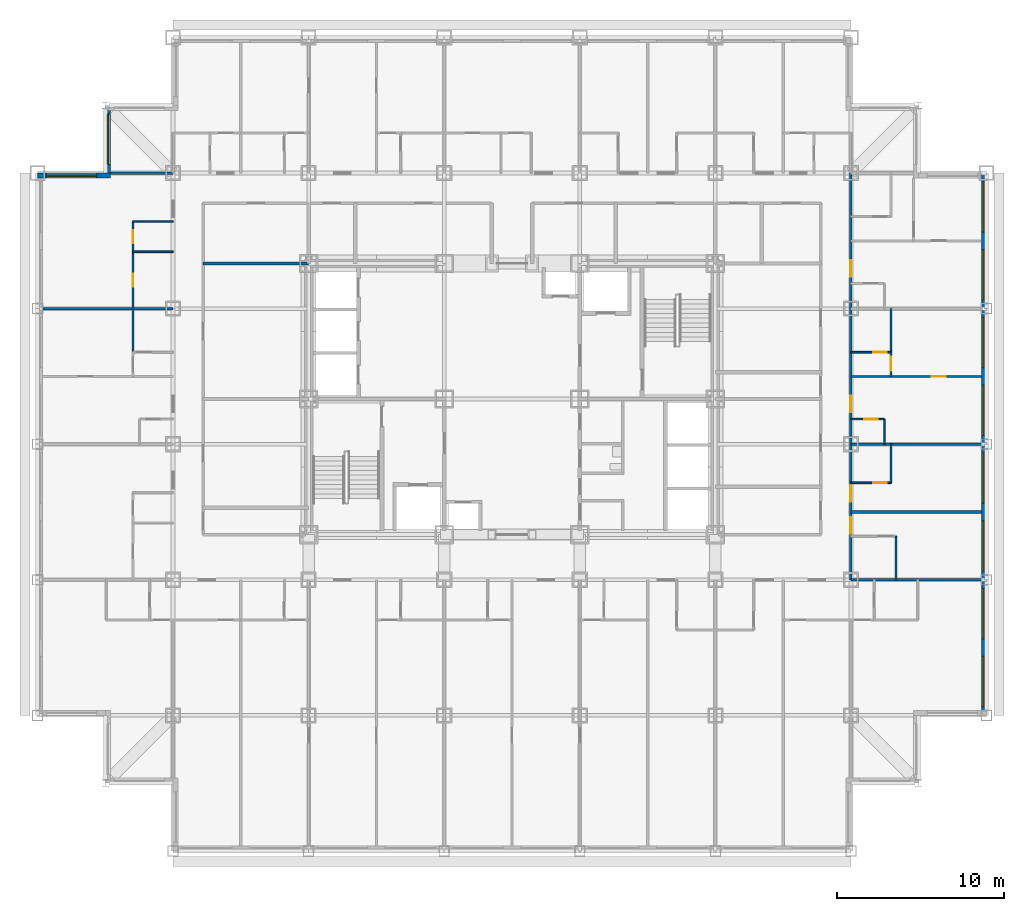
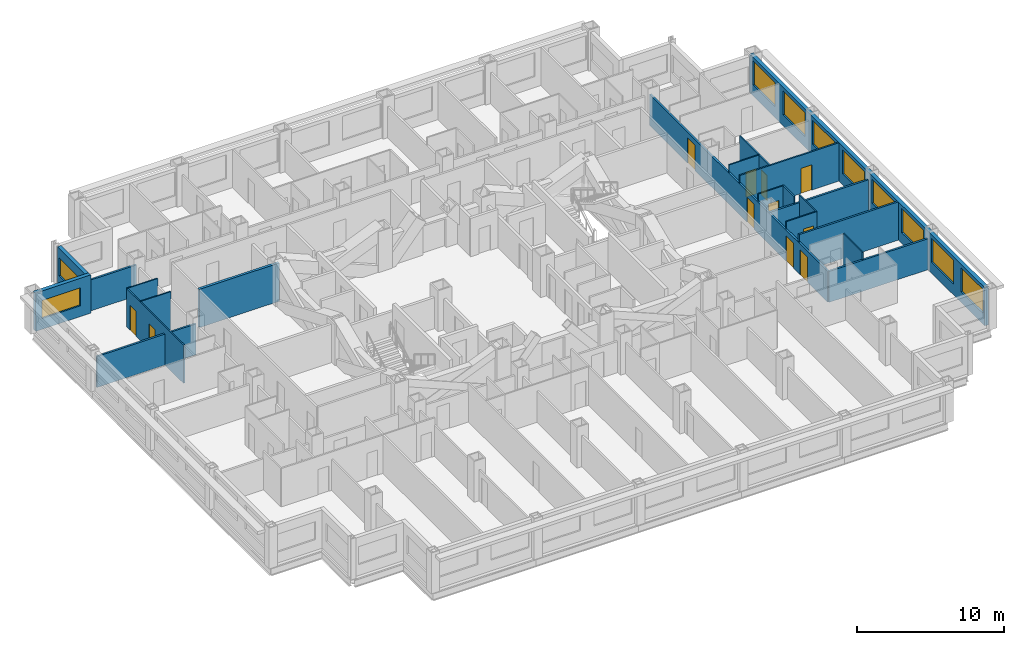
# One storey, part 8 of 14: 22 walls, 11 doors, 10 windows, 21 openings.
"""IFC4 building model written with IfcOpenShell, lengths in metres."""

from ifc_helpers import new_model, si_unit, direction, frame, frame_2d, origin, place, context, subcontext, project, spatial, rectangle, extrude, material, layer, layer_set, type_object, element, fill, save


model = new_model("IFC4")

# Units and contexts
model_context = context("Model", 3, precision=1e-05, world=origin(), true_north=direction((0.0, 1.0)))
body_context = subcontext(model_context, "Body", "Model", "MODEL_VIEW")
ifc_project = project(units=[si_unit("LENGTHUNIT", "METRE"), si_unit("AREAUNIT", "SQUARE_METRE"), si_unit("VOLUMEUNIT", "CUBIC_METRE"), si_unit("PLANEANGLEUNIT", "RADIAN"), si_unit("MASSUNIT", "GRAM", prefix="KILO")], contexts=[model_context])

# Site, building, storey
site_placement = place(None, origin())
site = spatial("IfcSite", under=ifc_project, at=site_placement, CompositionType="ELEMENT")
building_placement = place(site_placement, origin())
building = spatial("IfcBuilding", under=site, at=building_placement, Name="Kopane Lantern Tower", CompositionType="ELEMENT")
storey_placement = place(building_placement, frame((0.0, 0.0, 127.199951171875)))
storey = spatial("IfcBuildingStorey", under=building, at=storey_placement, Name="L32", CompositionType="ELEMENT", Elevation=127.199951171875)

# Wall, opening, door
ifc_material_1 = material(Name="Gypsum board on steel studs", Category="steel")
ifc_layer_1 = layer(ifc_material_1, 0.1201171875)
ifc_layer_set_1 = layer_set([ifc_layer_1], Name="APARTMENT INTERNAL WALL 120")
wall_type_1 = type_object("IfcWallType", Name="APARTMENT INTERNAL WALL 120", PredefinedType="PARTITIONING", material=ifc_layer_set_1)
wall_1_placement = place(storey_placement, frame((48.60009765625, 33.75, 0.0), z_axis=(0.0, 0.0, 1.0), x_axis=(1.0, 0.0, 0.0)))
wall_1 = element("IfcWall", 1, at=wall_1_placement, inside=storey, type_object=wall_type_1, Name="Apartment Internal Wall 120 L32", PredefinedType="PARTITIONING", context=body_context, shape_type="SweptSolid", body=[
    extrude(rectangle(XDim=7.7998046875, YDim=0.1201171875, at=frame_2d((3.89990234375, 0.0))), origin(), (0.0, 0.0, 1.0), 3.18994140625),
])
opening_1_placement = place(wall_1_placement, frame((4.824951171875, 0.0, 0.0)))
opening_1 = element("IfcOpeningElement", 2, at=opening_1_placement, cuts=wall_1, Name="Opening L32-060", PredefinedType="OPENING", context=body_context, shape_type="SweptSolid", body=[
    extrude(rectangle(XDim=0.85009765625, YDim=2.10009765625, at=frame_2d((0.425048828125, 1.050048828125))), frame((0.0, 0.070068359375, 0.0), z_axis=(0.0, -1.0, 0.0), x_axis=(1.0, 0.0, 0.0)), (0.0, 0.0, 1.0), 0.14013671875),
])
ifc_material_2 = material(Name="Timber door set", Category="wood")
door_type_1 = type_object("IfcDoorType", Name="DOOR D4 850x2100", OperationType="SINGLE_SWING_LEFT", PredefinedType="DOOR", material=ifc_material_2)
door_1_placement = place(opening_1_placement, origin())
door_1 = element("IfcDoor", 3, at=door_1_placement, inside=storey, type_object=door_type_1, Name="Door L32-060", OperationType="SINGLE_SWING_LEFT", OverallHeight=2.10009765625, OverallWidth=0.85009765625, PredefinedType="DOOR", context=body_context, shape_type="SweptSolid", body=[
    extrude(rectangle(XDim=0.85009765625, YDim=2.10009765625, at=frame_2d((0.425048828125, 1.050048828125))), frame((0.0, 0.02490234375, 0.0), z_axis=(0.0, -1.0, 0.0), x_axis=(1.0, 0.0, 0.0)), (0.0, 0.0, 1.0), 0.050048828125),
])
fill(opening_1, door_1)

wall_2_placement = place(storey_placement, frame((51.0, 35.2099609375, 0.0), z_axis=(0.0, 0.0, 1.0), x_axis=(0.0, -1.0, 0.0)))
wall_2 = element("IfcWall", 4, at=wall_2_placement, inside=storey, type_object=wall_type_1, Name="Apartment Internal Wall 120 L32", PredefinedType="PARTITIONING", context=body_context, shape_type="SweptSolid", body=[
    extrude(rectangle(XDim=1.4599609375, YDim=0.1201171875, at=frame_2d((0.72998046875, 0.0))), origin(), (0.0, 0.0, 1.0), 3.18994140625),
])
opening_2_placement = place(wall_2_placement, frame((0.27490234375, 0.0, 0.0)))
opening_2 = element("IfcOpeningElement", 5, at=opening_2_placement, cuts=wall_2, Name="Opening L32-086", PredefinedType="OPENING", context=body_context, shape_type="SweptSolid", body=[
    extrude(rectangle(XDim=0.85009765625, YDim=2.10009765625, at=frame_2d((0.425048828125, 1.050048828125))), frame((0.0, 0.070068359375, 0.0), z_axis=(0.0, -1.0, 0.0), x_axis=(1.0, 0.0, 0.0)), (0.0, 0.0, 1.0), 0.14013671875),
])
door_2_placement = place(opening_2_placement, origin())
door_2 = element("IfcDoor", 6, at=door_2_placement, inside=storey, type_object=door_type_1, Name="Door L32-086", OperationType="SINGLE_SWING_RIGHT", OverallHeight=2.10009765625, OverallWidth=0.85009765625, PredefinedType="DOOR", context=body_context, shape_type="SweptSolid", body=[
    extrude(rectangle(XDim=0.85009765625, YDim=2.10009765625, at=frame_2d((0.425048828125, 1.050048828125))), frame((0.0, 0.02490234375, 0.0), z_axis=(0.0, -1.0, 0.0), x_axis=(1.0, 0.0, 0.0)), (0.0, 0.0, 1.0), 0.050048828125),
])
fill(opening_2, door_2)

# Wall, openings, doors
ifc_material_3 = material(Name="Moisture-resistant board on steel studs", Category="steel")
ifc_layer_2 = layer(ifc_material_3, 0.10009765625)
ifc_layer_set_2 = layer_set([ifc_layer_2], Name="BATHROOM WALL 100")
wall_type_2 = type_object("IfcWallType", Name="BATHROOM WALL 100", PredefinedType="PARTITIONING", material=ifc_layer_set_2)
wall_3_placement = place(storey_placement, frame((5.699951171875, 35.199951171875, 0.0), z_axis=(0.0, 0.0, 1.0), x_axis=(0.0, 1.0, 0.0)))
wall_3 = element("IfcWall", 7, at=wall_3_placement, inside=storey, type_object=wall_type_2, Name="Bathroom Wall 100 L32", PredefinedType="PARTITIONING", context=body_context, shape_type="SweptSolid", body=[
    extrude(rectangle(XDim=7.800048828125, YDim=0.10009765625, at=frame_2d((3.89990234375, 0.0))), origin(), (0.0, 0.0, 1.0), 3.18994140625),
])
opening_3_placement = place(wall_3_placement, frame((3.89990234375, 0.0, 0.0)))
opening_3 = element("IfcOpeningElement", 8, at=opening_3_placement, cuts=wall_3, Name="Opening L32-050", PredefinedType="OPENING", context=body_context, shape_type="SweptSolid", body=[
    extrude(rectangle(XDim=0.800048828125, YDim=2.10009765625, at=frame_2d((0.39990234375, 1.050048828125))), frame((0.0, 0.06005859375, 0.0), z_axis=(0.0, -1.0, 0.0), x_axis=(1.0, 0.0, 0.0)), (0.0, 0.0, 1.0), 0.1201171875),
])
opening_4_placement = place(wall_3_placement, frame((6.5, 0.0, 0.0)))
opening_4 = element("IfcOpeningElement", 9, at=opening_4_placement, cuts=wall_3, Name="Opening L32-051", PredefinedType="OPENING", context=body_context, shape_type="SweptSolid", body=[
    extrude(rectangle(XDim=0.800048828125, YDim=2.10009765625, at=frame_2d((0.39990234375, 1.050048828125))), frame((0.0, 0.06005859375, 0.0), z_axis=(0.0, -1.0, 0.0), x_axis=(1.0, 0.0, 0.0)), (0.0, 0.0, 1.0), 0.1201171875),
])
ifc_material_4 = material(Name="Timber door set", Category="wood")
door_type_2 = type_object("IfcDoorType", Name="DOOR D2 800x2100", OperationType="SINGLE_SWING_LEFT", PredefinedType="DOOR", material=ifc_material_4)
door_3_placement = place(opening_3_placement, origin())
door_3 = element("IfcDoor", 10, at=door_3_placement, inside=storey, type_object=door_type_2, Name="Door L32-050", OperationType="SINGLE_SWING_LEFT", OverallHeight=2.10009765625, OverallWidth=0.800048828125, PredefinedType="DOOR", context=body_context, shape_type="SweptSolid", body=[
    extrude(rectangle(XDim=0.800048828125, YDim=2.10009765625, at=frame_2d((0.39990234375, 1.050048828125))), frame((0.0, 0.02490234375, 0.0), z_axis=(0.0, -1.0, 0.0), x_axis=(1.0, 0.0, 0.0)), (0.0, 0.0, 1.0), 0.050048828125),
])
fill(opening_3, door_3)
door_4_placement = place(opening_4_placement, origin())
door_4 = element("IfcDoor", 11, at=door_4_placement, inside=storey, type_object=door_type_2, Name="Door L32-051", OperationType="SINGLE_SWING_LEFT", OverallHeight=2.10009765625, OverallWidth=0.800048828125, PredefinedType="DOOR", context=body_context, shape_type="SweptSolid", body=[
    extrude(rectangle(XDim=0.800048828125, YDim=2.10009765625, at=frame_2d((0.39990234375, 1.050048828125))), frame((0.0, 0.02490234375, 0.0), z_axis=(0.0, -1.0, 0.0), x_axis=(1.0, 0.0, 0.0)), (0.0, 0.0, 1.0), 0.050048828125),
])
fill(opening_4, door_4)

# Walls
for number, where, z_axis, x_axis, name in (
    (12, (8.10009765625, 41.199951171875, 0.0), (0.0, 0.0, 1.0), (-1.0, 0.0, 0.0), "Bathroom Wall 100 L32"),
    (13, (8.10009765625, 43.0, 0.0), (0.0, 0.0, 1.0), (-1.0, 0.0, 0.0), "Bathroom Wall 100 L32"),
):
    element("IfcWall", number, at=place(storey_placement, frame(where, z_axis=z_axis, x_axis=x_axis)), inside=storey, type_object=wall_type_2, Name=name, PredefinedType="PARTITIONING", context=body_context, shape_type="SweptSolid", body=[
        extrude(rectangle(XDim=2.400146484375, YDim=0.10009765625, at=frame_2d((1.2001953125, 0.0))), origin(), (0.0, 0.0, 1.0), 3.18994140625),
    ])
wall_4_placement = place(storey_placement, frame((51.300048828125, 21.60009765625, 0.0), z_axis=(0.0, 0.0, 1.0), x_axis=(0.0, 1.0, 0.0)))
element("IfcWall", 14, at=wall_4_placement, inside=storey, type_object=wall_type_2, Name="Bathroom Wall 100 L32", PredefinedType="PARTITIONING", context=body_context, shape_type="SweptSolid", body=[
    extrude(rectangle(XDim=2.599853515625, YDim=0.10009765625, at=frame_2d((1.2998046875, 0.0))), origin(), (0.0, 0.0, 1.0), 3.18994140625),
])
wall_5_placement = place(storey_placement, frame((51.0, 27.39990234375, 0.0), z_axis=(0.0, 0.0, 1.0), x_axis=(0.0, 1.0, 0.0)))
element("IfcWall", 15, at=wall_5_placement, inside=storey, type_object=wall_type_2, Name="Bathroom Wall 100 L32", PredefinedType="PARTITIONING", context=body_context, shape_type="SweptSolid", body=[
    extrude(rectangle(XDim=2.300048828125, YDim=0.10009765625, at=frame_2d((1.14990234375, 0.0))), origin(), (0.0, 0.0, 1.0), 3.18994140625),
])

# Wall, opening, door
wall_6_placement = place(storey_placement, frame((48.60009765625, 27.39990234375, 0.0), z_axis=(0.0, 0.0, 1.0), x_axis=(1.0, 0.0, 0.0)))
wall_6 = element("IfcWall", 16, at=wall_6_placement, inside=storey, type_object=wall_type_2, Name="Bathroom Wall 100 L32", PredefinedType="PARTITIONING", context=body_context, shape_type="SweptSolid", body=[
    extrude(rectangle(XDim=2.39990234375, YDim=0.10009765625, at=frame_2d((1.199951171875, 0.0))), origin(), (0.0, 0.0, 1.0), 3.18994140625),
])
opening_5_placement = place(wall_6_placement, frame((1.35009765625, 0.0, 0.0)))
opening_5 = element("IfcOpeningElement", 17, at=opening_5_placement, cuts=wall_6, Name="Opening L32-055", PredefinedType="OPENING", context=body_context, shape_type="SweptSolid", body=[
    extrude(rectangle(XDim=0.800048828125, YDim=2.10009765625, at=frame_2d((0.39990234375, 1.050048828125))), frame((0.0, 0.06005859375, 0.0), z_axis=(0.0, -1.0, 0.0), x_axis=(1.0, 0.0, 0.0)), (0.0, 0.0, 1.0), 0.1201171875),
])
door_5_placement = place(opening_5_placement, origin())
door_5 = element("IfcDoor", 18, at=door_5_placement, inside=storey, type_object=door_type_2, Name="Door L32-055", OperationType="SINGLE_SWING_RIGHT", OverallHeight=2.10009765625, OverallWidth=0.800048828125, PredefinedType="DOOR", context=body_context, shape_type="SweptSolid", body=[
    extrude(rectangle(XDim=0.800048828125, YDim=2.10009765625, at=frame_2d((0.39990234375, 1.050048828125))), frame((0.0, 0.02490234375, 0.0), z_axis=(0.0, -1.0, 0.0), x_axis=(1.0, 0.0, 0.0)), (0.0, 0.0, 1.0), 0.050048828125),
])
fill(opening_5, door_5)

# Wall
wall_7_placement = place(storey_placement, frame((50.60009765625, 29.699951171875, 0.0), z_axis=(0.0, 0.0, 1.0), x_axis=(0.0, 1.0, 0.0)))
element("IfcWall", 19, at=wall_7_placement, inside=storey, type_object=wall_type_2, Name="Bathroom Wall 100 L32", PredefinedType="PARTITIONING", context=body_context, shape_type="SweptSolid", body=[
    extrude(rectangle(XDim=1.5, YDim=0.10009765625, at=frame_2d((0.75, 0.0))), origin(), (0.0, 0.0, 1.0), 3.18994140625),
])

# Wall, opening, door
wall_8_placement = place(storey_placement, frame((48.60009765625, 31.199951171875, 0.0), z_axis=(0.0, 0.0, 1.0), x_axis=(1.0, 0.0, 0.0)))
wall_8 = element("IfcWall", 20, at=wall_8_placement, inside=storey, type_object=wall_type_2, Name="Bathroom Wall 100 L32", PredefinedType="PARTITIONING", context=body_context, shape_type="SweptSolid", body=[
    extrude(rectangle(XDim=2.0, YDim=0.10009765625, at=frame_2d((1.0, 0.0))), origin(), (0.0, 0.0, 1.0), 3.18994140625),
])
opening_6_placement = place(wall_8_placement, frame((0.800048828125, 0.0, 0.0)))
opening_6 = element("IfcOpeningElement", 21, at=opening_6_placement, cuts=wall_8, Name="Opening L32-057", PredefinedType="OPENING", context=body_context, shape_type="SweptSolid", body=[
    extrude(rectangle(XDim=0.800048828125, YDim=2.10009765625, at=frame_2d((0.39990234375, 1.050048828125))), frame((0.0, 0.06005859375, 0.0), z_axis=(0.0, -1.0, 0.0), x_axis=(1.0, 0.0, 0.0)), (0.0, 0.0, 1.0), 0.1201171875),
])
door_6_placement = place(opening_6_placement, origin())
door_6 = element("IfcDoor", 22, at=door_6_placement, inside=storey, type_object=door_type_2, Name="Door L32-057", OperationType="SINGLE_SWING_LEFT", OverallHeight=2.10009765625, OverallWidth=0.800048828125, PredefinedType="DOOR", context=body_context, shape_type="SweptSolid", body=[
    extrude(rectangle(XDim=0.800048828125, YDim=2.10009765625, at=frame_2d((0.39990234375, 1.050048828125))), frame((0.0, 0.02490234375, 0.0), z_axis=(0.0, -1.0, 0.0), x_axis=(1.0, 0.0, 0.0)), (0.0, 0.0, 1.0), 0.050048828125),
])
fill(opening_6, door_6)

# Wall
wall_9_placement = place(storey_placement, frame((51.0, 35.199951171875, 0.0), z_axis=(0.0, 0.0, 1.0), x_axis=(0.0, 1.0, 0.0)))
element("IfcWall", 23, at=wall_9_placement, inside=storey, type_object=wall_type_2, Name="Bathroom Wall 100 L32", PredefinedType="PARTITIONING", context=body_context, shape_type="SweptSolid", body=[
    extrude(rectangle(XDim=2.60009765625, YDim=0.10009765625, at=frame_2d((1.300048828125, 0.0))), origin(), (0.0, 0.0, 1.0), 3.18994140625),
])

# Wall, opening, door
wall_10_placement = place(storey_placement, frame((48.60009765625, 35.199951171875, 0.0), z_axis=(0.0, 0.0, 1.0), x_axis=(1.0, 0.0, 0.0)))
wall_10 = element("IfcWall", 24, at=wall_10_placement, inside=storey, type_object=wall_type_2, Name="Bathroom Wall 100 L32", PredefinedType="PARTITIONING", context=body_context, shape_type="SweptSolid", body=[
    extrude(rectangle(XDim=2.39990234375, YDim=0.10009765625, at=frame_2d((1.199951171875, 0.0))), origin(), (0.0, 0.0, 1.0), 3.18994140625),
])
opening_7_placement = place(wall_10_placement, frame((1.35009765625, 0.0, 0.0)))
opening_7 = element("IfcOpeningElement", 25, at=opening_7_placement, cuts=wall_10, Name="Opening L32-059", PredefinedType="OPENING", context=body_context, shape_type="SweptSolid", body=[
    extrude(rectangle(XDim=0.800048828125, YDim=2.10009765625, at=frame_2d((0.39990234375, 1.050048828125))), frame((0.0, 0.06005859375, 0.0), z_axis=(0.0, -1.0, 0.0), x_axis=(1.0, 0.0, 0.0)), (0.0, 0.0, 1.0), 0.1201171875),
])
door_7_placement = place(opening_7_placement, origin())
door_7 = element("IfcDoor", 26, at=door_7_placement, inside=storey, type_object=door_type_2, Name="Door L32-059", OperationType="SINGLE_SWING_LEFT", OverallHeight=2.10009765625, OverallWidth=0.800048828125, PredefinedType="DOOR", context=body_context, shape_type="SweptSolid", body=[
    extrude(rectangle(XDim=0.800048828125, YDim=2.10009765625, at=frame_2d((0.39990234375, 1.050048828125))), frame((0.0, 0.02490234375, 0.0), z_axis=(0.0, -1.0, 0.0), x_axis=(1.0, 0.0, 0.0)), (0.0, 0.0, 1.0), 0.050048828125),
])
fill(opening_7, door_7)

# Wall, openings, doors
ifc_material_5 = material(Name="Gypsum board on steel studs", Category="steel")
ifc_layer_3 = layer(ifc_material_5, 0.14990234375)
ifc_layer_set_3 = layer_set([ifc_layer_3], Name="CORRIDOR WALL 150 EI 60")
wall_type_3 = type_object("IfcWallType", Name="CORRIDOR WALL 150 EI 60", PredefinedType="PARTITIONING", material=ifc_layer_set_3)
wall_11_placement = place(storey_placement, frame((48.60009765625, 21.60009765625, 0.0), z_axis=(0.0, 0.0, 1.0), x_axis=(0.0, 1.0, 0.0)))
wall_11 = element("IfcWall", 27, at=wall_11_placement, inside=storey, type_object=wall_type_3, Name="Corridor Wall 150 Ei 60 L32", PredefinedType="PARTITIONING", context=body_context, shape_type="SweptSolid", body=[
    extrude(rectangle(XDim=24.2998046875, YDim=0.14990234375, at=frame_2d((12.14990234375, 0.0))), origin(), (0.0, 0.0, 1.0), 2.577880859375),
])
opening_8_placement = place(wall_11_placement, frame((2.75, 0.0, 0.0)))
opening_8 = element("IfcOpeningElement", 28, at=opening_8_placement, cuts=wall_11, Name="Opening L32-054", PredefinedType="OPENING", context=body_context, shape_type="SweptSolid", body=[
    extrude(rectangle(XDim=1.0, YDim=2.10009765625, at=frame_2d((0.5, 1.050048828125))), frame((0.0, 0.0849609375, 0.0), z_axis=(0.0, -1.0, 0.0), x_axis=(1.0, 0.0, 0.0)), (0.0, 0.0, 1.0), 0.169921875),
])
opening_9_placement = place(wall_11_placement, frame((4.64990234375, 0.0, 0.0)))
opening_9 = element("IfcOpeningElement", 29, at=opening_9_placement, cuts=wall_11, Name="Opening L32-056", PredefinedType="OPENING", context=body_context, shape_type="SweptSolid", body=[
    extrude(rectangle(XDim=1.0, YDim=2.10009765625, at=frame_2d((0.5, 1.050048828125))), frame((0.0, 0.0849609375, 0.0), z_axis=(0.0, -1.0, 0.0), x_axis=(1.0, 0.0, 0.0)), (0.0, 0.0, 1.0), 0.169921875),
])
opening_10_placement = place(wall_11_placement, frame((10.0, 0.0, 0.0)))
opening_10 = element("IfcOpeningElement", 30, at=opening_10_placement, cuts=wall_11, Name="Opening L32-058", PredefinedType="OPENING", context=body_context, shape_type="SweptSolid", body=[
    extrude(rectangle(XDim=1.0, YDim=2.10009765625, at=frame_2d((0.5, 1.050048828125))), frame((0.0, 0.0849609375, 0.0), z_axis=(0.0, -1.0, 0.0), x_axis=(1.0, 0.0, 0.0)), (0.0, 0.0, 1.0), 0.169921875),
])
opening_11_placement = place(wall_11_placement, frame((18.10009765625, 0.0, 0.0)))
opening_11 = element("IfcOpeningElement", 31, at=opening_11_placement, cuts=wall_11, Name="Opening L32-062", PredefinedType="OPENING", context=body_context, shape_type="SweptSolid", body=[
    extrude(rectangle(XDim=1.0, YDim=2.10009765625, at=frame_2d((0.5, 1.050048828125))), frame((0.0, 0.0849609375, 0.0), z_axis=(0.0, -1.0, 0.0), x_axis=(1.0, 0.0, 0.0)), (0.0, 0.0, 1.0), 0.169921875),
])
ifc_material_6 = material(Name="Steel door set", Category="steel")
door_type_3 = type_object("IfcDoorType", Name="DOOR D1 1000x2100 FD30S", OperationType="SINGLE_SWING_LEFT", PredefinedType="DOOR", material=ifc_material_6)
door_8_placement = place(opening_8_placement, origin())
door_8 = element("IfcDoor", 32, at=door_8_placement, inside=storey, type_object=door_type_3, Name="Door L32-054", OperationType="SINGLE_SWING_RIGHT", OverallHeight=2.10009765625, OverallWidth=1.0, PredefinedType="DOOR", context=body_context, shape_type="SweptSolid", body=[
    extrude(rectangle(XDim=1.0, YDim=2.10009765625, at=frame_2d((0.5, 1.050048828125))), frame((0.0, 0.02490234375, 0.0), z_axis=(0.0, -1.0, 0.0), x_axis=(1.0, 0.0, 0.0)), (0.0, 0.0, 1.0), 0.050048828125),
])
fill(opening_8, door_8)
door_9_placement = place(opening_9_placement, origin())
door_9 = element("IfcDoor", 33, at=door_9_placement, inside=storey, type_object=door_type_3, Name="Door L32-056", OperationType="SINGLE_SWING_LEFT", OverallHeight=2.10009765625, OverallWidth=1.0, PredefinedType="DOOR", context=body_context, shape_type="SweptSolid", body=[
    extrude(rectangle(XDim=1.0, YDim=2.10009765625, at=frame_2d((0.5, 1.050048828125))), frame((0.0, 0.02490234375, 0.0), z_axis=(0.0, -1.0, 0.0), x_axis=(1.0, 0.0, 0.0)), (0.0, 0.0, 1.0), 0.050048828125),
])
fill(opening_9, door_9)
door_10_placement = place(opening_10_placement, origin())
door_10 = element("IfcDoor", 34, at=door_10_placement, inside=storey, type_object=door_type_3, Name="Door L32-058", OperationType="SINGLE_SWING_RIGHT", OverallHeight=2.10009765625, OverallWidth=1.0, PredefinedType="DOOR", context=body_context, shape_type="SweptSolid", body=[
    extrude(rectangle(XDim=1.0, YDim=2.10009765625, at=frame_2d((0.5, 1.050048828125))), frame((0.0, 0.02490234375, 0.0), z_axis=(0.0, -1.0, 0.0), x_axis=(1.0, 0.0, 0.0)), (0.0, 0.0, 1.0), 0.050048828125),
])
fill(opening_10, door_10)
door_11_placement = place(opening_11_placement, origin())
door_11 = element("IfcDoor", 35, at=door_11_placement, inside=storey, type_object=door_type_3, Name="Door L32-062", OperationType="SINGLE_SWING_RIGHT", OverallHeight=2.10009765625, OverallWidth=1.0, PredefinedType="DOOR", context=body_context, shape_type="SweptSolid", body=[
    extrude(rectangle(XDim=1.0, YDim=2.10009765625, at=frame_2d((0.5, 1.050048828125))), frame((0.0, 0.02490234375, 0.0), z_axis=(0.0, -1.0, 0.0), x_axis=(1.0, 0.0, 0.0)), (0.0, 0.0, 1.0), 0.050048828125),
])
fill(opening_11, door_11)

# Walls
ifc_material_7 = material(Name="Gypsum board on steel studs", Category="steel")
ifc_layer_4 = layer(ifc_material_7, 0.14990234375)
ifc_layer_set_4 = layer_set([ifc_layer_4], Name="DEMISING WALL 150 EI 60")
wall_type_4 = type_object("IfcWallType", Name="DEMISING WALL 150 EI 60", PredefinedType="PARTITIONING", material=ifc_layer_set_4)
wall_12_placement = place(storey_placement, frame((8.10009765625, 37.800048828125, 0.0), z_axis=(0.0, 0.0, 1.0), x_axis=(-1.0, 0.0, 0.0)))
element("IfcWall", 36, at=wall_12_placement, inside=storey, type_object=wall_type_4, Name="Demising Wall 150 Ei 60 L32", PredefinedType="PARTITIONING", context=body_context, shape_type="SweptSolid", body=[
    extrude(rectangle(XDim=7.800048828125, YDim=0.14990234375, at=frame_2d((3.89990234375, 0.0))), origin(), (0.0, 0.0, 1.0), 2.577880859375),
])
wall_13_placement = place(storey_placement, frame((48.60009765625, 25.64990234375, 0.0), z_axis=(0.0, 0.0, 1.0), x_axis=(1.0, 0.0, 0.0)))
element("IfcWall", 37, at=wall_13_placement, inside=storey, type_object=wall_type_4, Name="Demising Wall 150 Ei 60 L32", PredefinedType="PARTITIONING", context=body_context, shape_type="SweptSolid", body=[
    extrude(rectangle(XDim=7.7998046875, YDim=0.14990234375, at=frame_2d((3.89990234375, 0.0))), origin(), (0.0, 0.0, 1.0), 3.18994140625),
])
for number, where, z_axis, x_axis, name in (
    (38, (48.60009765625, 29.699951171875, 0.0), (0.0, 0.0, 1.0), (1.0, 0.0, 0.0), "Demising Wall 150 Ei 60 L32"),
    (39, (48.60009765625, 21.60009765625, 0.0), (0.0, 0.0, 1.0), (1.0, 0.0, 0.0), "Demising Wall 150 Ei 60 L32"),
):
    element("IfcWall", number, at=place(storey_placement, frame(where, z_axis=z_axis, x_axis=x_axis)), inside=storey, type_object=wall_type_4, Name=name, PredefinedType="PARTITIONING", context=body_context, shape_type="SweptSolid", body=[
        extrude(rectangle(XDim=7.7998046875, YDim=0.14990234375, at=frame_2d((3.89990234375, 0.0))), origin(), (0.0, 0.0, 1.0), 2.577880859375),
    ])
wall_14_placement = place(storey_placement, frame((4.35009765625, 45.89990234375, 0.0), z_axis=(0.0, 0.0, 1.0), x_axis=(1.0, 0.0, 0.0)))
element("IfcWall", 40, at=wall_14_placement, inside=storey, type_object=wall_type_4, Name="Demising Wall 150 Ei 60 L32", PredefinedType="PARTITIONING", context=body_context, shape_type="SweptSolid", body=[
    extrude(rectangle(XDim=3.75, YDim=0.14990234375, at=frame_2d((1.875, 0.0))), origin(), (0.0, 0.0, 1.0), 2.577880859375),
])

# Wall, openings, windows
ifc_material_8 = material(Name="Terracotta rainscreen on light steel framing", Category="masonry")
ifc_layer_5 = layer(ifc_material_8, 0.300048828125)
ifc_layer_set_5 = layer_set([ifc_layer_5], Name="EXTERNAL WALL EW1 300 TERRACOTTA")
wall_type_5 = type_object("IfcWallType", Name="EXTERNAL WALL EW1 300 TERRACOTTA", PredefinedType="SOLIDWALL", material=ifc_layer_set_5)
wall_15_placement = place(storey_placement, frame((56.550048828125, 13.800048828125, 0.0), z_axis=(0.0, 0.0, 1.0), x_axis=(0.0, 1.0, 0.0)))
wall_15 = element("IfcWall", 41, at=wall_15_placement, inside=storey, type_object=wall_type_5, Name="External wall E L32", PredefinedType="SOLIDWALL", context=body_context, shape_type="SweptSolid", body=[
    extrude(rectangle(XDim=32.099853515625, YDim=0.300048828125, at=frame_2d((16.0498046875, 0.0))), origin(), (0.0, 0.0, 1.0), 3.18994140625),
])
opening_12_placement = place(wall_15_placement, frame((0.22509765625, 0.0, 0.89990234375)))
opening_12 = element("IfcOpeningElement", 42, at=opening_12_placement, cuts=wall_15, Name="Opening WR300200", PredefinedType="OPENING", context=body_context, shape_type="SweptSolid", body=[
    extrude(rectangle(XDim=3.0, YDim=2.0, at=frame_2d((1.5, 1.0))), frame((0.0, 0.159912109375, 0.0), z_axis=(0.0, -1.0, 0.0), x_axis=(1.0, 0.0, 0.0)), (0.0, 0.0, 1.0), 0.320068359375),
])
opening_13_placement = place(wall_15_placement, frame((4.27490234375, 0.0, 0.89990234375)))
opening_13 = element("IfcOpeningElement", 43, at=opening_13_placement, cuts=wall_15, Name="Opening WR300200", PredefinedType="OPENING", context=body_context, shape_type="SweptSolid", body=[
    extrude(rectangle(XDim=3.0, YDim=2.0, at=frame_2d((1.5, 1.0))), frame((0.0, 0.159912109375, 0.0), z_axis=(0.0, -1.0, 0.0), x_axis=(1.0, 0.0, 0.0)), (0.0, 0.0, 1.0), 0.320068359375),
])
opening_14_placement = place(wall_15_placement, frame((8.324951171875, 0.0, 0.89990234375)))
opening_14 = element("IfcOpeningElement", 44, at=opening_14_placement, cuts=wall_15, Name="Opening WR300200", PredefinedType="OPENING", context=body_context, shape_type="SweptSolid", body=[
    extrude(rectangle(XDim=3.0, YDim=2.0, at=frame_2d((1.5, 1.0))), frame((0.0, 0.159912109375, 0.0), z_axis=(0.0, -1.0, 0.0), x_axis=(1.0, 0.0, 0.0)), (0.0, 0.0, 1.0), 0.320068359375),
])
opening_15_placement = place(wall_15_placement, frame((12.375, 0.0, 0.89990234375)))
opening_15 = element("IfcOpeningElement", 45, at=opening_15_placement, cuts=wall_15, Name="Opening WR300200", PredefinedType="OPENING", context=body_context, shape_type="SweptSolid", body=[
    extrude(rectangle(XDim=3.0, YDim=2.0, at=frame_2d((1.5, 1.0))), frame((0.0, 0.159912109375, 0.0), z_axis=(0.0, -1.0, 0.0), x_axis=(1.0, 0.0, 0.0)), (0.0, 0.0, 1.0), 0.320068359375),
])
opening_16_placement = place(wall_15_placement, frame((16.425048828125, 0.0, 0.89990234375)))
opening_16 = element("IfcOpeningElement", 46, at=opening_16_placement, cuts=wall_15, Name="Opening WR300200", PredefinedType="OPENING", context=body_context, shape_type="SweptSolid", body=[
    extrude(rectangle(XDim=3.0, YDim=2.0, at=frame_2d((1.5, 1.0))), frame((0.0, 0.159912109375, 0.0), z_axis=(0.0, -1.0, 0.0), x_axis=(1.0, 0.0, 0.0)), (0.0, 0.0, 1.0), 0.320068359375),
])
opening_17_placement = place(wall_15_placement, frame((20.47509765625, 0.0, 0.89990234375)))
opening_17 = element("IfcOpeningElement", 47, at=opening_17_placement, cuts=wall_15, Name="Opening WR300200", PredefinedType="OPENING", context=body_context, shape_type="SweptSolid", body=[
    extrude(rectangle(XDim=3.0, YDim=2.0, at=frame_2d((1.5, 1.0))), frame((0.0, 0.159912109375, 0.0), z_axis=(0.0, -1.0, 0.0), x_axis=(1.0, 0.0, 0.0)), (0.0, 0.0, 1.0), 0.320068359375),
])
opening_18_placement = place(wall_15_placement, frame((24.52490234375, 0.0, 0.89990234375)))
opening_18 = element("IfcOpeningElement", 48, at=opening_18_placement, cuts=wall_15, Name="Opening WR300200", PredefinedType="OPENING", context=body_context, shape_type="SweptSolid", body=[
    extrude(rectangle(XDim=3.0, YDim=2.0, at=frame_2d((1.5, 1.0))), frame((0.0, 0.159912109375, 0.0), z_axis=(0.0, -1.0, 0.0), x_axis=(1.0, 0.0, 0.0)), (0.0, 0.0, 1.0), 0.320068359375),
])
opening_19_placement = place(wall_15_placement, frame((28.574951171875, 0.0, 0.89990234375)))
opening_19 = element("IfcOpeningElement", 49, at=opening_19_placement, cuts=wall_15, Name="Opening WR300200", PredefinedType="OPENING", context=body_context, shape_type="SweptSolid", body=[
    extrude(rectangle(XDim=3.0, YDim=2.0, at=frame_2d((1.5, 1.0))), frame((0.0, 0.159912109375, 0.0), z_axis=(0.0, -1.0, 0.0), x_axis=(1.0, 0.0, 0.0)), (0.0, 0.0, 1.0), 0.320068359375),
])
ifc_material_9 = material(Name="Aluminium and clear glass", Category="aluminium")
window_type_1 = type_object("IfcWindowType", Name="RIBBON WINDOW WR300200 3000x2000", PartitioningType="SINGLE_PANEL", PredefinedType="WINDOW", material=ifc_material_9)
window_1_placement = place(opening_12_placement, origin())
window_1 = element("IfcWindow", 50, at=window_1_placement, inside=storey, type_object=window_type_1, Name="Window E L32", OverallHeight=2.0, OverallWidth=3.0, PartitioningType="SINGLE_PANEL", PredefinedType="WINDOW", context=body_context, shape_type="SweptSolid", body=[
    extrude(rectangle(XDim=3.0, YDim=2.0, at=frame_2d((1.5, 1.0))), frame((0.0, 0.030029296875, 0.0), z_axis=(0.0, -1.0, 0.0), x_axis=(1.0, 0.0, 0.0)), (0.0, 0.0, 1.0), 0.06005859375),
])
fill(opening_12, window_1)
window_2_placement = place(opening_13_placement, origin())
window_2 = element("IfcWindow", 51, at=window_2_placement, inside=storey, type_object=window_type_1, Name="Window E L32", OverallHeight=2.0, OverallWidth=3.0, PartitioningType="SINGLE_PANEL", PredefinedType="WINDOW", context=body_context, shape_type="SweptSolid", body=[
    extrude(rectangle(XDim=3.0, YDim=2.0, at=frame_2d((1.5, 1.0))), frame((0.0, 0.030029296875, 0.0), z_axis=(0.0, -1.0, 0.0), x_axis=(1.0, 0.0, 0.0)), (0.0, 0.0, 1.0), 0.06005859375),
])
fill(opening_13, window_2)
window_3_placement = place(opening_14_placement, origin())
window_3 = element("IfcWindow", 52, at=window_3_placement, inside=storey, type_object=window_type_1, Name="Window E L32", OverallHeight=2.0, OverallWidth=3.0, PartitioningType="SINGLE_PANEL", PredefinedType="WINDOW", context=body_context, shape_type="SweptSolid", body=[
    extrude(rectangle(XDim=3.0, YDim=2.0, at=frame_2d((1.5, 1.0))), frame((0.0, 0.030029296875, 0.0), z_axis=(0.0, -1.0, 0.0), x_axis=(1.0, 0.0, 0.0)), (0.0, 0.0, 1.0), 0.06005859375),
])
fill(opening_14, window_3)
window_4_placement = place(opening_15_placement, origin())
window_4 = element("IfcWindow", 53, at=window_4_placement, inside=storey, type_object=window_type_1, Name="Window E L32", OverallHeight=2.0, OverallWidth=3.0, PartitioningType="SINGLE_PANEL", PredefinedType="WINDOW", context=body_context, shape_type="SweptSolid", body=[
    extrude(rectangle(XDim=3.0, YDim=2.0, at=frame_2d((1.5, 1.0))), frame((0.0, 0.030029296875, 0.0), z_axis=(0.0, -1.0, 0.0), x_axis=(1.0, 0.0, 0.0)), (0.0, 0.0, 1.0), 0.06005859375),
])
fill(opening_15, window_4)
window_5_placement = place(opening_16_placement, origin())
window_5 = element("IfcWindow", 54, at=window_5_placement, inside=storey, type_object=window_type_1, Name="Window E L32", OverallHeight=2.0, OverallWidth=3.0, PartitioningType="SINGLE_PANEL", PredefinedType="WINDOW", context=body_context, shape_type="SweptSolid", body=[
    extrude(rectangle(XDim=3.0, YDim=2.0, at=frame_2d((1.5, 1.0))), frame((0.0, 0.030029296875, 0.0), z_axis=(0.0, -1.0, 0.0), x_axis=(1.0, 0.0, 0.0)), (0.0, 0.0, 1.0), 0.06005859375),
])
fill(opening_16, window_5)
window_6_placement = place(opening_17_placement, origin())
window_6 = element("IfcWindow", 55, at=window_6_placement, inside=storey, type_object=window_type_1, Name="Window E L32", OverallHeight=2.0, OverallWidth=3.0, PartitioningType="SINGLE_PANEL", PredefinedType="WINDOW", context=body_context, shape_type="SweptSolid", body=[
    extrude(rectangle(XDim=3.0, YDim=2.0, at=frame_2d((1.5, 1.0))), frame((0.0, 0.030029296875, 0.0), z_axis=(0.0, -1.0, 0.0), x_axis=(1.0, 0.0, 0.0)), (0.0, 0.0, 1.0), 0.06005859375),
])
fill(opening_17, window_6)
window_7_placement = place(opening_18_placement, origin())
window_7 = element("IfcWindow", 56, at=window_7_placement, inside=storey, type_object=window_type_1, Name="Window E L32", OverallHeight=2.0, OverallWidth=3.0, PartitioningType="SINGLE_PANEL", PredefinedType="WINDOW", context=body_context, shape_type="SweptSolid", body=[
    extrude(rectangle(XDim=3.0, YDim=2.0, at=frame_2d((1.5, 1.0))), frame((0.0, 0.030029296875, 0.0), z_axis=(0.0, -1.0, 0.0), x_axis=(1.0, 0.0, 0.0)), (0.0, 0.0, 1.0), 0.06005859375),
])
fill(opening_18, window_7)
window_8_placement = place(opening_19_placement, origin())
window_8 = element("IfcWindow", 57, at=window_8_placement, inside=storey, type_object=window_type_1, Name="Window E L32", OverallHeight=2.0, OverallWidth=3.0, PartitioningType="SINGLE_PANEL", PredefinedType="WINDOW", context=body_context, shape_type="SweptSolid", body=[
    extrude(rectangle(XDim=3.0, YDim=2.0, at=frame_2d((1.5, 1.0))), frame((0.0, 0.030029296875, 0.0), z_axis=(0.0, -1.0, 0.0), x_axis=(1.0, 0.0, 0.0)), (0.0, 0.0, 1.0), 0.06005859375),
])
fill(opening_19, window_8)

# Wall, opening, window
wall_16_placement = place(storey_placement, frame((4.199951171875, 49.64990234375, 0.0), z_axis=(0.0, 0.0, 1.0), x_axis=(0.0, -1.0, 0.0)))
wall_16 = element("IfcWall", 58, at=wall_16_placement, inside=storey, type_object=wall_type_5, Name="External wall W L32", PredefinedType="SOLIDWALL", context=body_context, shape_type="SweptSolid", body=[
    extrude(rectangle(XDim=3.75, YDim=0.300048828125, at=frame_2d((1.875, 0.0))), origin(), (0.0, 0.0, 1.0), 3.18994140625),
])
opening_20_placement = place(wall_16_placement, frame((0.22509765625, 0.0, 0.89990234375)))
opening_20 = element("IfcOpeningElement", 59, at=opening_20_placement, cuts=wall_16, Name="Opening WR300150", PredefinedType="OPENING", context=body_context, shape_type="SweptSolid", body=[
    extrude(rectangle(XDim=3.0, YDim=1.5, at=frame_2d((1.5, 0.75))), frame((0.0, 0.159912109375, 0.0), z_axis=(0.0, -1.0, 0.0), x_axis=(1.0, 0.0, 0.0)), (0.0, 0.0, 1.0), 0.320068359375),
])
ifc_material_10 = material(Name="Aluminium and clear glass", Category="aluminium")
window_type_2 = type_object("IfcWindowType", Name="RIBBON WINDOW WR300150 3000x1500", PartitioningType="SINGLE_PANEL", PredefinedType="WINDOW", material=ifc_material_10)
window_9_placement = place(opening_20_placement, origin())
window_9 = element("IfcWindow", 60, at=window_9_placement, inside=storey, type_object=window_type_2, Name="Window W L32", OverallHeight=1.5, OverallWidth=3.0, PartitioningType="SINGLE_PANEL", PredefinedType="WINDOW", context=body_context, shape_type="SweptSolid", body=[
    extrude(rectangle(XDim=3.0, YDim=1.5, at=frame_2d((1.5, 0.75))), frame((0.0, 0.030029296875, 0.0), z_axis=(0.0, -1.0, 0.0), x_axis=(1.0, 0.0, 0.0)), (0.0, 0.0, 1.0), 0.06005859375),
])
fill(opening_20, window_9)

wall_17_placement = place(storey_placement, frame((4.35009765625, 45.75, 0.0), z_axis=(0.0, 0.0, 1.0), x_axis=(-1.0, 0.0, 0.0)))
wall_17 = element("IfcWall", 61, at=wall_17_placement, inside=storey, type_object=wall_type_5, Name="External wall N L32", PredefinedType="SOLIDWALL", context=body_context, shape_type="SweptSolid", body=[
    extrude(rectangle(XDim=4.35009765625, YDim=0.300048828125, at=frame_2d((2.175048828125, 0.0))), origin(), (0.0, 0.0, 1.0), 3.18994140625),
])
opening_21_placement = place(wall_17_placement, frame((0.824951171875, 0.0, 0.89990234375)))
opening_21 = element("IfcOpeningElement", 62, at=opening_21_placement, cuts=wall_17, Name="Opening WR300150", PredefinedType="OPENING", context=body_context, shape_type="SweptSolid", body=[
    extrude(rectangle(XDim=3.0, YDim=1.5, at=frame_2d((1.5, 0.75))), frame((0.0, 0.159912109375, 0.0), z_axis=(0.0, -1.0, 0.0), x_axis=(1.0, 0.0, 0.0)), (0.0, 0.0, 1.0), 0.320068359375),
])
window_10_placement = place(opening_21_placement, origin())
window_10 = element("IfcWindow", 63, at=window_10_placement, inside=storey, type_object=window_type_2, Name="Window N L32", OverallHeight=1.5, OverallWidth=3.0, PartitioningType="SINGLE_PANEL", PredefinedType="WINDOW", context=body_context, shape_type="SweptSolid", body=[
    extrude(rectangle(XDim=3.0, YDim=1.5, at=frame_2d((1.5, 0.75))), frame((0.0, 0.030029296875, 0.0), z_axis=(0.0, -1.0, 0.0), x_axis=(1.0, 0.0, 0.0)), (0.0, 0.0, 1.0), 0.06005859375),
])
fill(opening_21, window_10)

# Wall
ifc_material_11 = material(Name="Concrete masonry", Category="masonry")
ifc_layer_6 = layer(ifc_material_11, 0.199951171875)
ifc_layer_set_6 = layer_set([ifc_layer_6], Name="PLANT ROOM WALL 200 EI 120")
wall_type_6 = type_object("IfcWallType", Name="PLANT ROOM WALL 200 EI 120", PredefinedType="SOLIDWALL", material=ifc_layer_set_6)
wall_18_placement = place(storey_placement, frame((9.89990234375, 40.5, 0.0), z_axis=(0.0, 0.0, 1.0), x_axis=(1.0, 0.0, 0.0)))
element("IfcWall", 64, at=wall_18_placement, inside=storey, type_object=wall_type_6, Name="Plant Room Wall 200 Ei 120 L32", PredefinedType="SOLIDWALL", context=body_context, shape_type="SweptSolid", body=[
    extrude(rectangle(XDim=6.300048828125, YDim=0.199951171875, at=frame_2d((3.14990234375, 0.0))), origin(), (0.0, 0.0, 1.0), 3.18994140625),
])

save(model, "model.ifc")
